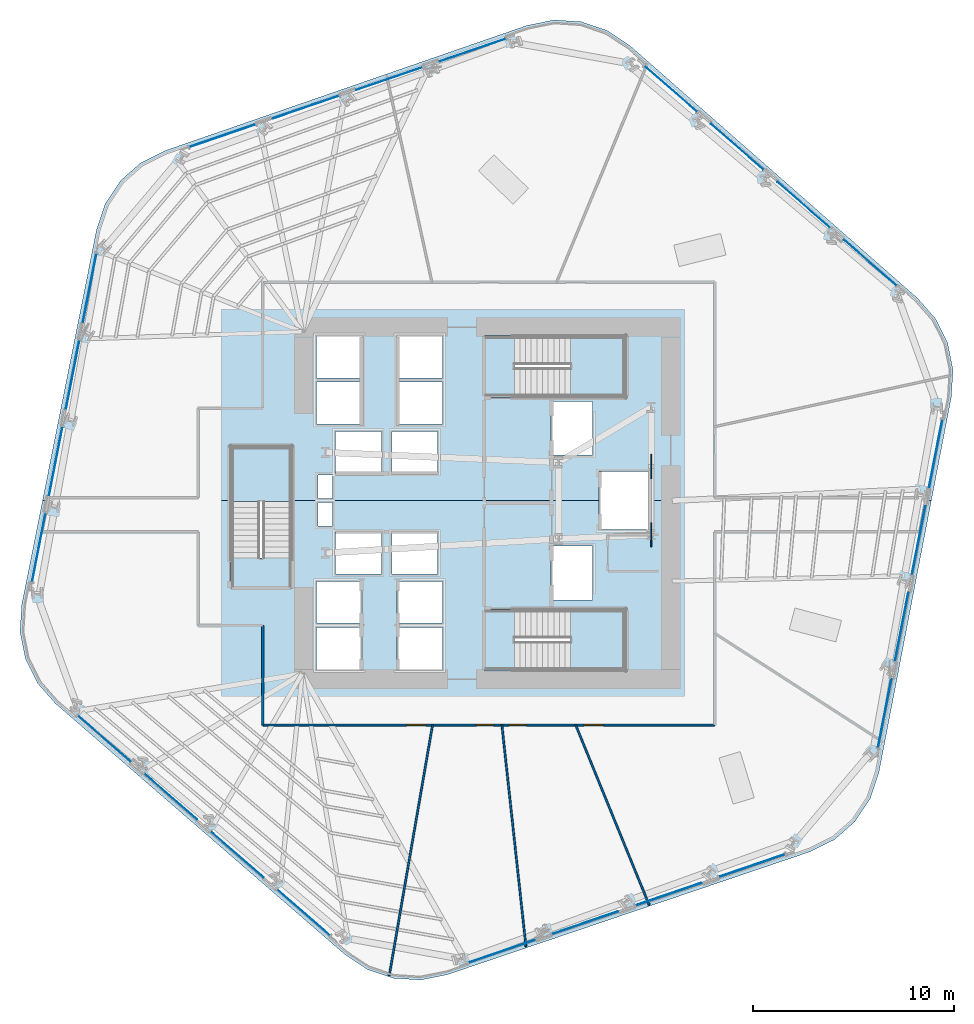
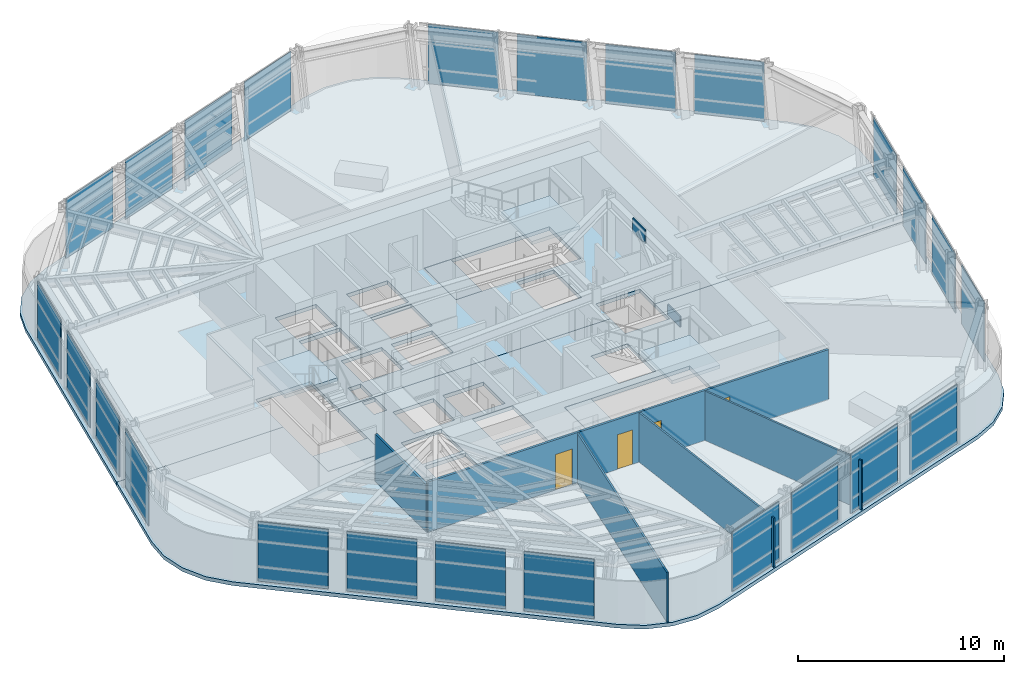
# One storey, part 8 of 16: 26 plates, 8 slabs, 5 walls, 4 doors, 4 openings, 9 elements without a shape of their own.
"""IFC4 building model written with IfcOpenShell, lengths in metres."""

from ifc_helpers import new_model, si_unit, direction, frame, frame_2d, origin, origin_2d, place, context, subcontext, project, spatial, polyline, rectangle, outline, extrude, material, layer, layer_set, type_object, element, fill, aggregate, save


model = new_model("IFC4")

# Units and contexts
model_context = context("Model", 3, precision=1e-05, world=origin(), true_north=direction((0.0, 1.0)))
body_context = subcontext(model_context, "Body", "Model", "MODEL_VIEW")
ifc_project = project(units=[si_unit("LENGTHUNIT", "METRE"), si_unit("AREAUNIT", "SQUARE_METRE"), si_unit("VOLUMEUNIT", "CUBIC_METRE"), si_unit("PLANEANGLEUNIT", "RADIAN"), si_unit("MASSUNIT", "GRAM", prefix="KILO")], contexts=[model_context])

# Site, building, storey
site_placement = place(None, origin())
site = spatial("IfcSite", under=ifc_project, at=site_placement, CompositionType="ELEMENT")
building_placement = place(site_placement, origin())
building = spatial("IfcBuilding", under=site, at=building_placement, Name="Valkerne Bourse Tower", CompositionType="ELEMENT")
storey_placement = place(building_placement, frame((0.0, 0.0, 104.800048828125)))
storey = spatial("IfcBuildingStorey", under=building, at=storey_placement, Name="L26", CompositionType="ELEMENT", Elevation=104.800048828125)

# Curtain wall, plates
ifc_material_1 = material(Name="Aluminium AA 6063-T6", Category="aluminium")
ifc_layer_1 = layer(ifc_material_1, 0.22998046875)
ifc_layer_set_1 = layer_set([ifc_layer_1], Name="Aluminium AA 6063-T6")
curtain_wall_type = type_object("IfcCurtainWallType", Name="CW-02", PredefinedType="NOTDEFINED", material=ifc_layer_set_1)
curtain_wall_1_placement = place(storey_placement, origin())
curtain_wall_1 = element("IfcCurtainWall", 1, at=curtain_wall_1_placement, inside=storey, type_object=curtain_wall_type, Name="L26 Hexagonal Stick Curtain Wall Face 1", PredefinedType="NOTDEFINED")
ifc_material_2 = material(Name="Glass IGU Low-E Double Glazed", Category="glass")
ifc_layer_2 = layer(ifc_material_2, 0.031982421875)
ifc_layer_set_2 = layer_set([ifc_layer_2], Name="Glass IGU Low-E Double Glazed")
plate_type_1 = type_object("IfcPlateType", Name="CW-PNL-IGU-32", PredefinedType="CURTAIN_PANEL", material=ifc_layer_set_2)
plate_1_placement = place(storey_placement, frame((65.84033203125, 38.8251953125, 0.030029296875), z_axis=(0.0, 0.0, 1.0), x_axis=(-0.753563766815, 0.657374816481, 0.0)))
plate_1 = element("IfcPlate", 2, at=plate_1_placement, type_object=plate_type_1, Name="CW-L26-F1 Curtain Panel 00", PredefinedType="CURTAIN_PANEL", context=body_context, shape_type="SweptSolid", body=[
    extrude(rectangle(XDim=3.462890625, YDim=0.031982421875, at=origin_2d()), origin(), (0.0, 0.0, 1.0), 3.52001953125),
])
plate_2_placement = place(storey_placement, frame((62.537353515625, 41.70654296875, 0.030029296875), z_axis=(0.0, 0.0, 1.0), x_axis=(-0.753575068934, 0.65736186038, 0.0)))
plate_2 = element("IfcPlate", 3, at=plate_2_placement, type_object=plate_type_1, Name="CW-L26-F1 Curtain Panel 01", PredefinedType="CURTAIN_PANEL", context=body_context, shape_type="SweptSolid", body=[
    extrude(rectangle(XDim=3.462890625, YDim=0.031982421875, at=origin_2d()), origin(), (0.0, 0.0, 1.0), 3.52001953125),
])
plate_3_placement = place(storey_placement, frame((59.234619140625, 44.587646484375, 0.030029296875), z_axis=(0.0, 0.0, 1.0), x_axis=(-0.75355390716, 0.657386118658, 0.0)))
plate_3 = element("IfcPlate", 4, at=plate_3_placement, type_object=plate_type_1, Name="CW-L26-F1 Curtain Panel 02", PredefinedType="CURTAIN_PANEL", context=body_context, shape_type="SweptSolid", body=[
    extrude(rectangle(XDim=3.462890625, YDim=0.031982421875, at=origin_2d()), origin(), (0.0, 0.0, 1.0), 3.52001953125),
])
plate_4_placement = place(storey_placement, frame((55.931884765625, 47.468994140625, 0.030029296875), z_axis=(0.0, 0.0, 1.0), x_axis=(-0.753563766815, 0.657374816481, 0.0)))
plate_4 = element("IfcPlate", 5, at=plate_4_placement, type_object=plate_type_1, Name="CW-L26-F1 Curtain Panel 03", PredefinedType="CURTAIN_PANEL", context=body_context, shape_type="SweptSolid", body=[
    extrude(rectangle(XDim=3.462890625, YDim=0.031982421875, at=origin_2d()), origin(), (0.0, 0.0, 1.0), 3.52001953125),
])
aggregate(curtain_wall_1, [plate_1, plate_2, plate_3, plate_4])

curtain_wall_2_placement = place(storey_placement, origin())
curtain_wall_2 = element("IfcCurtainWall", 6, at=curtain_wall_2_placement, inside=storey, type_object=curtain_wall_type, Name="L26 Hexagonal Stick Curtain Wall Face 2", PredefinedType="NOTDEFINED")
plate_5_placement = place(storey_placement, frame((46.0791015625, 49.402099609375, 0.030029296875), z_axis=(0.0, 0.0, 1.0), x_axis=(-0.946087647887, -0.323910732325, 0.0)))
plate_5 = element("IfcPlate", 7, at=plate_5_placement, type_object=plate_type_1, Name="CW-L26-F2 Curtain Panel 00", PredefinedType="CURTAIN_PANEL", context=body_context, shape_type="SweptSolid", body=[
    extrude(rectangle(XDim=3.462890625, YDim=0.031982421875, at=origin_2d()), origin(), (0.0, 0.0, 1.0), 3.52001953125),
])
plate_6_placement = place(storey_placement, frame((41.9326171875, 47.982421875, 0.030029296875), z_axis=(0.0, 0.0, 1.0), x_axis=(-0.946087647887, -0.323910732325, 0.0)))
plate_6 = element("IfcPlate", 8, at=plate_6_placement, type_object=plate_type_1, Name="CW-L26-F2 Curtain Panel 01", PredefinedType="CURTAIN_PANEL", context=body_context, shape_type="SweptSolid", body=[
    extrude(rectangle(XDim=3.462890625, YDim=0.031982421875, at=origin_2d()), origin(), (0.0, 0.0, 1.0), 3.52001953125),
])
plate_7_placement = place(storey_placement, frame((37.785888671875, 46.5625, 0.030029296875), z_axis=(0.0, 0.0, 1.0), x_axis=(-0.946087647887, -0.323910732325, 0.0)))
plate_7 = element("IfcPlate", 9, at=plate_7_placement, type_object=plate_type_1, Name="CW-L26-F2 Curtain Panel 02", PredefinedType="CURTAIN_PANEL", context=body_context, shape_type="SweptSolid", body=[
    extrude(rectangle(XDim=3.462890625, YDim=0.031982421875, at=origin_2d()), origin(), (0.0, 0.0, 1.0), 3.52001953125),
])
plate_8_placement = place(storey_placement, frame((33.63916015625, 45.142822265625, 0.030029296875), z_axis=(0.0, 0.0, 1.0), x_axis=(-0.946080655977, -0.323931153776, 0.0)))
plate_8 = element("IfcPlate", 10, at=plate_8_placement, type_object=plate_type_1, Name="CW-L26-F2 Curtain Panel 03", PredefinedType="CURTAIN_PANEL", context=body_context, shape_type="SweptSolid", body=[
    extrude(rectangle(XDim=3.462890625, YDim=0.031982421875, at=origin_2d()), origin(), (0.0, 0.0, 1.0), 3.52001953125),
])
aggregate(curtain_wall_2, [plate_5, plate_6, plate_7, plate_8])

curtain_wall_3_placement = place(storey_placement, origin())
curtain_wall_3 = element("IfcCurtainWall", 11, at=curtain_wall_3_placement, inside=storey, type_object=curtain_wall_type, Name="L26 Hexagonal Stick Curtain Wall Face 3", PredefinedType="NOTDEFINED")
plate_9_placement = place(storey_placement, frame((27.038818359375, 37.576904296875, 0.030029296875), z_axis=(0.0, 0.0, 1.0), x_axis=(-0.192516989941, -0.981293640346, 0.0)))
plate_9 = element("IfcPlate", 12, at=plate_9_placement, type_object=plate_type_1, Name="CW-L26-F3 Curtain Panel 00", PredefinedType="CURTAIN_PANEL", context=body_context, shape_type="SweptSolid", body=[
    extrude(rectangle(XDim=3.462890625, YDim=0.031982421875, at=origin_2d()), origin(), (0.0, 0.0, 1.0), 3.52001953125),
])
plate_10_placement = place(storey_placement, frame((26.195068359375, 33.27587890625, 0.030029296875), z_axis=(0.0, 0.0, 1.0), x_axis=(-0.192512679825, -0.981294485925, 0.0)))
plate_10 = element("IfcPlate", 13, at=plate_10_placement, type_object=plate_type_1, Name="CW-L26-F3 Curtain Panel 01", PredefinedType="CURTAIN_PANEL", context=body_context, shape_type="SweptSolid", body=[
    extrude(rectangle(XDim=3.463134765625, YDim=0.031982421875, at=origin_2d()), origin(), (0.0, 0.0, 1.0), 3.52001953125),
])
plate_11_placement = place(storey_placement, frame((25.351318359375, 28.974853515625, 0.030029296875), z_axis=(0.0, 0.0, 1.0), x_axis=(-0.192516989941, -0.981293640346, 0.0)))
plate_11 = element("IfcPlate", 14, at=plate_11_placement, type_object=plate_type_1, Name="CW-L26-F3 Curtain Panel 02", PredefinedType="CURTAIN_PANEL", context=body_context, shape_type="SweptSolid", body=[
    extrude(rectangle(XDim=3.462890625, YDim=0.031982421875, at=origin_2d()), origin(), (0.0, 0.0, 1.0), 3.52001953125),
])
plate_12_placement = place(storey_placement, frame((24.50732421875, 24.673583984375, 0.030029296875), z_axis=(0.0, 0.0, 1.0), x_axis=(-0.192538959662, -0.981289329919, 0.0)))
plate_12 = element("IfcPlate", 15, at=plate_12_placement, type_object=plate_type_1, Name="CW-L26-F3 Curtain Panel 03", PredefinedType="CURTAIN_PANEL", context=body_context, shape_type="SweptSolid", body=[
    extrude(rectangle(XDim=3.462890625, YDim=0.031982421875, at=origin_2d()), origin(), (0.0, 0.0, 1.0), 3.52001953125),
])
aggregate(curtain_wall_3, [plate_9, plate_10, plate_11, plate_12])

curtain_wall_4_placement = place(storey_placement, origin())
curtain_wall_4 = element("IfcCurtainWall", 16, at=curtain_wall_4_placement, inside=storey, type_object=curtain_wall_type, Name="L26 Hexagonal Stick Curtain Wall Face 4", PredefinedType="NOTDEFINED")
plate_13_placement = place(storey_placement, frame((27.759765625, 15.1748046875, 0.030029296875), z_axis=(0.0, 0.0, 1.0), x_axis=(0.753563766815, -0.657374816481, 0.0)))
plate_13 = element("IfcPlate", 17, at=plate_13_placement, type_object=plate_type_1, Name="CW-L26-F4 Curtain Panel 00", PredefinedType="CURTAIN_PANEL", context=body_context, shape_type="SweptSolid", body=[
    extrude(rectangle(XDim=3.462890625, YDim=0.031982421875, at=origin_2d()), origin(), (0.0, 0.0, 1.0), 3.52001953125),
])
plate_14_placement = place(storey_placement, frame((31.0625, 12.29345703125, 0.030029296875), z_axis=(0.0, 0.0, 1.0), x_axis=(0.753575068934, -0.65736186038, 0.0)))
plate_14 = element("IfcPlate", 18, at=plate_14_placement, type_object=plate_type_1, Name="CW-L26-F4 Curtain Panel 01", PredefinedType="CURTAIN_PANEL", context=body_context, shape_type="SweptSolid", body=[
    extrude(rectangle(XDim=3.462890625, YDim=0.031982421875, at=origin_2d()), origin(), (0.0, 0.0, 1.0), 3.52001953125),
])
plate_15_placement = place(storey_placement, frame((34.365478515625, 9.412353515625, 0.030029296875), z_axis=(0.0, 0.0, 1.0), x_axis=(0.75355390716, -0.657386118658, 0.0)))
plate_15 = element("IfcPlate", 19, at=plate_15_placement, type_object=plate_type_1, Name="CW-L26-F4 Curtain Panel 02", PredefinedType="CURTAIN_PANEL", context=body_context, shape_type="SweptSolid", body=[
    extrude(rectangle(XDim=3.462890625, YDim=0.031982421875, at=origin_2d()), origin(), (0.0, 0.0, 1.0), 3.52001953125),
])
plate_16_placement = place(storey_placement, frame((37.668212890625, 6.531005859375, 0.030029296875), z_axis=(0.0, 0.0, 1.0), x_axis=(0.753563766815, -0.657374816481, 0.0)))
plate_16 = element("IfcPlate", 20, at=plate_16_placement, type_object=plate_type_1, Name="CW-L26-F4 Curtain Panel 03", PredefinedType="CURTAIN_PANEL", context=body_context, shape_type="SweptSolid", body=[
    extrude(rectangle(XDim=3.462890625, YDim=0.031982421875, at=origin_2d()), origin(), (0.0, 0.0, 1.0), 3.52001953125),
])
aggregate(curtain_wall_4, [plate_13, plate_14, plate_15, plate_16])

curtain_wall_5_placement = place(storey_placement, origin())
curtain_wall_5 = element("IfcCurtainWall", 21, at=curtain_wall_5_placement, inside=storey, type_object=curtain_wall_type, Name="L26 Hexagonal Stick Curtain Wall Face 5", PredefinedType="NOTDEFINED")
plate_17_placement = place(storey_placement, frame((47.520751953125, 4.597900390625, 0.030029296875), z_axis=(0.0, 0.0, 1.0), x_axis=(0.946087647887, 0.323910732325, 0.0)))
plate_17 = element("IfcPlate", 22, at=plate_17_placement, type_object=plate_type_1, Name="CW-L26-F5 Curtain Panel 00", PredefinedType="CURTAIN_PANEL", context=body_context, shape_type="SweptSolid", body=[
    extrude(rectangle(XDim=3.462890625, YDim=0.031982421875, at=origin_2d()), origin(), (0.0, 0.0, 1.0), 3.52001953125),
])
plate_18_placement = place(storey_placement, frame((51.66748046875, 6.017578125, 0.030029296875), z_axis=(0.0, 0.0, 1.0), x_axis=(0.946087647887, 0.323910732325, 0.0)))
plate_18 = element("IfcPlate", 23, at=plate_18_placement, type_object=plate_type_1, Name="CW-L26-F5 Curtain Panel 01", PredefinedType="CURTAIN_PANEL", context=body_context, shape_type="SweptSolid", body=[
    extrude(rectangle(XDim=3.462890625, YDim=0.031982421875, at=origin_2d()), origin(), (0.0, 0.0, 1.0), 3.52001953125),
])
plate_19_placement = place(storey_placement, frame((55.814208984375, 7.4375, 0.030029296875), z_axis=(0.0, 0.0, 1.0), x_axis=(0.946087647887, 0.323910732325, 0.0)))
plate_19 = element("IfcPlate", 24, at=plate_19_placement, type_object=plate_type_1, Name="CW-L26-F5 Curtain Panel 02", PredefinedType="CURTAIN_PANEL", context=body_context, shape_type="SweptSolid", body=[
    extrude(rectangle(XDim=3.462890625, YDim=0.031982421875, at=origin_2d()), origin(), (0.0, 0.0, 1.0), 3.52001953125),
])
plate_20_placement = place(storey_placement, frame((59.9609375, 8.857177734375, 0.030029296875), z_axis=(0.0, 0.0, 1.0), x_axis=(0.946080655977, 0.323931153776, 0.0)))
plate_20 = element("IfcPlate", 25, at=plate_20_placement, type_object=plate_type_1, Name="CW-L26-F5 Curtain Panel 03", PredefinedType="CURTAIN_PANEL", context=body_context, shape_type="SweptSolid", body=[
    extrude(rectangle(XDim=3.462890625, YDim=0.031982421875, at=origin_2d()), origin(), (0.0, 0.0, 1.0), 3.52001953125),
])
aggregate(curtain_wall_5, [plate_17, plate_18, plate_19, plate_20])

curtain_wall_6_placement = place(storey_placement, origin())
curtain_wall_6 = element("IfcCurtainWall", 26, at=curtain_wall_6_placement, inside=storey, type_object=curtain_wall_type, Name="L26 Hexagonal Stick Curtain Wall Face 6", PredefinedType="NOTDEFINED")
plate_21_placement = place(storey_placement, frame((66.56103515625, 16.423095703125, 0.030029296875), z_axis=(0.0, 0.0, 1.0), x_axis=(0.192516989941, 0.981293640346, 0.0)))
plate_21 = element("IfcPlate", 27, at=plate_21_placement, type_object=plate_type_1, Name="CW-L26-F6 Curtain Panel 00", PredefinedType="CURTAIN_PANEL", context=body_context, shape_type="SweptSolid", body=[
    extrude(rectangle(XDim=3.462890625, YDim=0.031982421875, at=origin_2d()), origin(), (0.0, 0.0, 1.0), 3.52001953125),
])
plate_22_placement = place(storey_placement, frame((67.40478515625, 20.72412109375, 0.030029296875), z_axis=(0.0, 0.0, 1.0), x_axis=(0.192512679825, 0.981294485925, 0.0)))
plate_22 = element("IfcPlate", 28, at=plate_22_placement, type_object=plate_type_1, Name="CW-L26-F6 Curtain Panel 01", PredefinedType="CURTAIN_PANEL", context=body_context, shape_type="SweptSolid", body=[
    extrude(rectangle(XDim=3.463134765625, YDim=0.031982421875, at=origin_2d()), origin(), (0.0, 0.0, 1.0), 3.52001953125),
])
plate_23_placement = place(storey_placement, frame((68.248779296875, 25.025146484375, 0.030029296875), z_axis=(0.0, 0.0, 1.0), x_axis=(0.192516989941, 0.981293640346, 0.0)))
plate_23 = element("IfcPlate", 29, at=plate_23_placement, type_object=plate_type_1, Name="CW-L26-F6 Curtain Panel 02", PredefinedType="CURTAIN_PANEL", context=body_context, shape_type="SweptSolid", body=[
    extrude(rectangle(XDim=3.462890625, YDim=0.031982421875, at=origin_2d()), origin(), (0.0, 0.0, 1.0), 3.52001953125),
])
plate_24_placement = place(storey_placement, frame((69.092529296875, 29.326416015625, 0.030029296875), z_axis=(0.0, 0.0, 1.0), x_axis=(0.192538959662, 0.981289329919, 0.0)))
plate_24 = element("IfcPlate", 30, at=plate_24_placement, type_object=plate_type_1, Name="CW-L26-F6 Curtain Panel 03", PredefinedType="CURTAIN_PANEL", context=body_context, shape_type="SweptSolid", body=[
    extrude(rectangle(XDim=3.462890625, YDim=0.031982421875, at=origin_2d()), origin(), (0.0, 0.0, 1.0), 3.52001953125),
])
aggregate(curtain_wall_6, [plate_21, plate_22, plate_23, plate_24])

# Plates
ifc_material_3 = material(Name="Steel ASTM A572 Grade 50", Category="steel")
ifc_layer_3 = layer(ifc_material_3, 0.06005859375)
ifc_layer_set_3 = layer_set([ifc_layer_3], Name="Steel ASTM A572 Grade 50")
plate_type_2 = type_object("IfcPlateType", Name="PLT-GUS-60", PredefinedType="SHEET", material=ifc_layer_set_3)
for number, where, z_axis, x_axis, name in (
    (31, (54.949951171875, 25.300048828125, -0.18017578125), (0.0, 0.0, 1.0), (0.0, 1.0, 0.0), "L26 Brace Node Gusset Plate PLT-GUS-END-L26-368"),
    (32, (54.949951171875, 28.699951171875, 2.8740234375), (0.0, 0.0, 1.0), (0.0, 1.0, 0.0), "L26 Brace Node Gusset Plate PLT-GUS-END-L26-369"),
):
    element("IfcPlate", number, at=place(storey_placement, frame(where, z_axis=z_axis, x_axis=x_axis)), inside=storey, type_object=plate_type_2, Name=name, PredefinedType="SHEET", context=body_context, shape_type="SweptSolid", body=[
        extrude(rectangle(XDim=1.199951171875, YDim=0.06005859375, at=origin_2d()), origin(), (0.0, 0.0, 1.0), 0.800048828125),
    ])

# Slabs
ifc_material_4 = material(Name="Concrete C40/50", Category="concrete")
ifc_layer_4 = layer(ifc_material_4, 0.25)
ifc_layer_set_4 = layer_set([ifc_layer_4], Name="Concrete C40/50")
slab_type_1 = type_object("IfcSlabType", Name="SLB-RMP-LND-250", PredefinedType="LANDING", material=ifc_layer_set_4)
slab_1_placement = place(storey_placement, frame((0.0, 0.0, -0.219970703125)))
element("IfcSlab", 33, at=slab_1_placement, inside=storey, type_object=slab_type_1, Name="L26 ST-1 Floor Landing Slab", PredefinedType="LANDING", context=body_context, shape_type="SweptSolid", body=[
    extrude(outline(polyline([(46.669921875, 18.5400390625), (48.14990234375, 18.5400390625), (48.14990234375, 21.610107421875), (46.669921875, 21.610107421875), (46.669921875, 18.5400390625)])), origin(), (0.0, 0.0, 1.0), 0.219970703125),
])
slab_2_placement = place(storey_placement, frame((0.0, 0.0, -0.219970703125)))
element("IfcSlab", 34, at=slab_2_placement, inside=storey, type_object=slab_type_1, Name="L26 ST-2 Floor Landing Slab", PredefinedType="LANDING", context=body_context, shape_type="SweptSolid", body=[
    extrude(outline(polyline([(46.669921875, 32.139892578125), (48.14990234375, 32.139892578125), (48.14990234375, 35.2099609375), (46.669921875, 35.2099609375), (46.669921875, 32.139892578125)])), origin(), (0.0, 0.0, 1.0), 0.219970703125),
])
slab_3_placement = place(storey_placement, frame((0.0, 0.0, -0.219970703125)))
element("IfcSlab", 35, at=slab_3_placement, inside=storey, type_object=slab_type_1, Name="L26 ST-3 Floor Landing Slab", PredefinedType="LANDING", context=body_context, shape_type="SweptSolid", body=[
    extrude(outline(polyline([(37.110107421875, 22.669921875), (37.110107421875, 24.14990234375), (34.0400390625, 24.14990234375), (34.0400390625, 22.669921875), (37.110107421875, 22.669921875)])), origin(), (0.0, 0.0, 1.0), 0.219970703125),
])

# Stair, slab
stair_type = type_object("IfcStairType", Name="ST-CORE-1400", PredefinedType="HALF_TURN_STAIR", material=ifc_material_4)
stair_1_placement = place(storey_placement, origin())
stair_1 = element("IfcStair", 36, at=stair_1_placement, inside=storey, type_object=stair_type, Name="L26 ST-1", PredefinedType="HALF_TURN_STAIR")
ifc_layer_5 = layer(ifc_material_4, 0.179931640625)
ifc_layer_set_5 = layer_set([ifc_layer_5], Name="Concrete C40/50")
slab_type_2 = type_object("IfcSlabType", Name="SLB-ST-LND-180", PredefinedType="LANDING", material=ifc_layer_set_5)
slab_4_placement = place(storey_placement, frame((0.0, 0.0, 1.699951171875)))
slab_4 = element("IfcSlab", 37, at=slab_4_placement, type_object=slab_type_2, Name="ST-1 landing 1", PredefinedType="LANDING", context=body_context, shape_type="SweptSolid", body=[
    extrude(outline(polyline([(50.949951171875, 18.60009765625), (53.64990234375, 18.60009765625), (53.64990234375, 21.550048828125), (50.949951171875, 21.550048828125), (50.949951171875, 18.60009765625)])), origin(), (0.0, 0.0, 1.0), 0.199951171875),
])
aggregate(stair_1, [slab_4])

stair_2_placement = place(storey_placement, origin())
stair_2 = element("IfcStair", 38, at=stair_2_placement, inside=storey, type_object=stair_type, Name="L26 ST-2", PredefinedType="HALF_TURN_STAIR")
slab_5_placement = place(storey_placement, frame((0.0, 0.0, 1.699951171875)))
slab_5 = element("IfcSlab", 39, at=slab_5_placement, type_object=slab_type_2, Name="ST-2 landing 1", PredefinedType="LANDING", context=body_context, shape_type="SweptSolid", body=[
    extrude(outline(polyline([(50.949951171875, 32.199951171875), (53.64990234375, 32.199951171875), (53.64990234375, 35.14990234375), (50.949951171875, 35.14990234375), (50.949951171875, 32.199951171875)])), origin(), (0.0, 0.0, 1.0), 0.199951171875),
])
aggregate(stair_2, [slab_5])

stair_3_placement = place(storey_placement, origin())
stair_3 = element("IfcStair", 40, at=stair_3_placement, inside=storey, type_object=stair_type, Name="L26 ST-3", PredefinedType="HALF_TURN_STAIR")
slab_6_placement = place(storey_placement, frame((0.0, 0.0, 1.699951171875)))
slab_6 = element("IfcSlab", 41, at=slab_6_placement, type_object=slab_type_2, Name="ST-3 landing 1", PredefinedType="LANDING", context=body_context, shape_type="SweptSolid", body=[
    extrude(outline(polyline([(37.050048828125, 26.949951171875), (37.050048828125, 29.64990234375), (34.10009765625, 29.64990234375), (34.10009765625, 26.949951171875), (37.050048828125, 26.949951171875)])), origin(), (0.0, 0.0, 1.0), 0.199951171875),
])
aggregate(stair_3, [slab_6])

# Slabs
ifc_layer_6 = layer(ifc_material_4, 0.219970703125)
ifc_layer_set_6 = layer_set([ifc_layer_6], Name="Concrete C40/50")
slab_type_3 = type_object("IfcSlabType", Name="SLB-TOW-220", PredefinedType="FLOOR", material=ifc_layer_set_6)
slab_7_placement = place(storey_placement, frame((0.0, 0.0, -0.219970703125)))
element("IfcSlab", 42, at=slab_7_placement, inside=storey, type_object=slab_type_3, Name="L26 Hexagonal Composite Floor Slab S", PredefinedType="FLOOR", context=body_context, shape_type="SweptSolid", body=[
    extrude(outline(polyline([(65.8369140625, 12.17919921875), (65.085693359375, 11.04833984375), (64.0673828125, 10.150634765625), (62.8515625, 9.547119140625), (44.827392578125, 3.440185546875), (43.49658203125, 3.171875), (42.141845703125, 3.257080078125), (40.855224609375, 3.690185546875), (39.724609375, 4.44140625), (25.343994140625, 16.90576171875), (24.4462890625, 17.924072265625), (23.8427734375, 19.139892578125), (23.574462890625, 20.470703125), (23.65966796875, 21.825439453125), (24.69189453125, 27.0), (34.034912109375, 27.0), (34.034912109375, 22.6650390625), (37.114990234375, 22.6650390625), (37.114990234375, 27.0), (52.360107421875, 27.0), (52.360107421875, 25.56005859375), (54.840087890625, 25.56005859375), (54.840087890625, 27.0), (68.88037109375, 27.0), (66.269775390625, 13.4658203125), (65.8369140625, 12.17919921875)]), holes=[polyline([(40.590087890625, 20.68994140625), (38.31005859375, 20.68994140625), (38.31005859375, 18.610107421875), (40.590087890625, 18.610107421875), (40.590087890625, 20.68994140625)]), polyline([(40.590087890625, 22.989990234375), (38.31005859375, 22.989990234375), (38.31005859375, 20.909912109375), (40.590087890625, 20.909912109375), (40.590087890625, 22.989990234375)]), polyline([(41.5400390625, 25.43994140625), (39.260009765625, 25.43994140625), (39.260009765625, 23.360107421875), (41.5400390625, 23.360107421875), (41.5400390625, 25.43994140625)]), polyline([(39.10009765625, 25.72998046875), (39.10009765625, 26.89990234375), (38.3798828125, 26.89990234375), (38.3798828125, 25.72998046875), (39.10009765625, 25.72998046875)]), polyline([(44.590087890625, 20.68994140625), (42.31005859375, 20.68994140625), (42.31005859375, 18.610107421875), (44.590087890625, 18.610107421875), (44.590087890625, 20.68994140625)]), polyline([(53.675048828125, 21.614990234375), (46.6650390625, 21.614990234375), (46.6650390625, 18.534912109375), (53.675048828125, 18.534912109375), (53.675048828125, 21.614990234375)]), polyline([(44.590087890625, 22.989990234375), (42.31005859375, 22.989990234375), (42.31005859375, 20.909912109375), (44.590087890625, 20.909912109375), (44.590087890625, 22.989990234375)]), polyline([(52.0400390625, 22.06005859375), (52.0400390625, 24.739990234375), (49.9599609375, 24.739990234375), (49.9599609375, 22.06005859375), (52.0400390625, 22.06005859375)]), polyline([(44.340087890625, 23.360107421875), (44.340087890625, 25.43994140625), (42.06005859375, 25.43994140625), (42.06005859375, 23.360107421875), (44.340087890625, 23.360107421875)])]), origin(), (0.0, 0.0, 1.0), 0.219970703125),
])
slab_8_placement = place(storey_placement, frame((0.0, 0.0, -0.219970703125)))
element("IfcSlab", 43, at=slab_8_placement, inside=storey, type_object=slab_type_3, Name="L26 Hexagonal Composite Floor Slab N", PredefinedType="FLOOR", context=body_context, shape_type="SweptSolid", body=[
    extrude(outline(polyline([(27.3828125, 40.48828125), (27.81591796875, 41.77490234375), (28.567138671875, 42.905517578125), (29.58544921875, 43.80322265625), (30.80126953125, 44.406982421875), (48.7861328125, 50.62841796875), (50.116943359375, 50.896728515625), (51.4716796875, 50.8115234375), (52.75830078125, 50.378662109375), (53.888916015625, 49.62744140625), (68.189697265625, 37.071533203125), (69.08740234375, 36.05322265625), (69.691162109375, 34.83740234375), (69.95947265625, 33.506591796875), (69.8740234375, 32.15185546875), (68.88037109375, 27.0), (54.840087890625, 27.0), (54.840087890625, 28.43994140625), (52.360107421875, 28.43994140625), (52.360107421875, 27.0), (37.114990234375, 27.0), (37.114990234375, 29.675048828125), (34.034912109375, 29.675048828125), (34.034912109375, 27.0), (24.69189453125, 27.0), (27.3828125, 40.48828125)]), holes=[polyline([(39.10009765625, 28.27001953125), (38.3798828125, 28.27001953125), (38.3798828125, 27.10009765625), (39.10009765625, 27.10009765625), (39.10009765625, 28.27001953125)]), polyline([(41.5400390625, 30.43994140625), (39.260009765625, 30.43994140625), (39.260009765625, 28.360107421875), (41.5400390625, 28.360107421875), (41.5400390625, 30.43994140625)]), polyline([(44.340087890625, 30.43994140625), (42.06005859375, 30.43994140625), (42.06005859375, 28.360107421875), (44.340087890625, 28.360107421875), (44.340087890625, 30.43994140625)]), polyline([(40.590087890625, 30.81005859375), (40.590087890625, 32.889892578125), (38.31005859375, 32.889892578125), (38.31005859375, 30.81005859375), (40.590087890625, 30.81005859375)]), polyline([(40.590087890625, 33.110107421875), (40.590087890625, 35.18994140625), (38.31005859375, 35.18994140625), (38.31005859375, 33.110107421875), (40.590087890625, 33.110107421875)]), polyline([(52.0400390625, 31.93994140625), (49.9599609375, 31.93994140625), (49.9599609375, 29.260009765625), (52.0400390625, 29.260009765625), (52.0400390625, 31.93994140625)]), polyline([(44.590087890625, 32.889892578125), (42.31005859375, 32.889892578125), (42.31005859375, 30.81005859375), (44.590087890625, 30.81005859375), (44.590087890625, 32.889892578125)]), polyline([(53.675048828125, 32.135009765625), (53.675048828125, 35.215087890625), (46.6650390625, 35.215087890625), (46.6650390625, 32.135009765625), (53.675048828125, 32.135009765625)]), polyline([(44.590087890625, 33.110107421875), (44.590087890625, 35.18994140625), (42.31005859375, 35.18994140625), (42.31005859375, 33.110107421875), (44.590087890625, 33.110107421875)])]), origin(), (0.0, 0.0, 1.0), 0.219970703125),
])

# Wall, openings, doors
ifc_material_5 = material(Name="Gypsum Board Steel-Stud Partition", Category="steel")
ifc_layer_7 = layer(ifc_material_5, 0.117919921875)
ifc_layer_set_7 = layer_set([ifc_layer_7], Name="Gypsum Board Steel-Stud Partition")
wall_type_1 = type_object("IfcWallType", Name="W-CORR-140", PredefinedType="PARTITIONING", material=ifc_layer_set_7)
wall_1_placement = place(storey_placement, frame((58.10009765625, 15.85009765625, 0.0), z_axis=(0.0, 0.0, 1.0), x_axis=(-1.0, 0.0, 0.0)))
wall_1 = element("IfcWall", 44, at=wall_1_placement, inside=storey, type_object=wall_type_1, Name="L26 Corridor Enclosure Wall", PredefinedType="PARTITIONING", context=body_context, shape_type="SweptSolid", body=[
    extrude(rectangle(XDim=22.4501953125, YDim=0.117919921875, at=frame_2d((11.22509765625, 0.0))), origin(), (0.0, 0.0, 1.0), 2.962890625),
])
opening_1_placement = place(wall_1_placement, frame((9.35498046875, 0.0, 0.0)))
opening_1 = element("IfcOpeningElement", 45, at=opening_1_placement, cuts=wall_1, Name="Opening D-WC-900", PredefinedType="OPENING", context=body_context, shape_type="SweptSolid", body=[
    extrude(rectangle(XDim=0.860107421875, YDim=2.050048828125, at=frame_2d((0.43017578125, 1.02490234375))), frame((0.0, 0.06884765625, 0.0), z_axis=(0.0, -1.0, 0.0), x_axis=(1.0, 0.0, 0.0)), (0.0, 0.0, 1.0), 0.137939453125),
])
opening_2_placement = place(wall_1_placement, frame((10.97509765625, 0.0, 0.0)))
opening_2 = element("IfcOpeningElement", 46, at=opening_2_placement, cuts=wall_1, Name="Opening D-WC-900", PredefinedType="OPENING", context=body_context, shape_type="SweptSolid", body=[
    extrude(rectangle(XDim=0.860107421875, YDim=2.050048828125, at=frame_2d((0.43017578125, 1.02490234375))), frame((0.0, 0.06884765625, 0.0), z_axis=(0.0, -1.0, 0.0), x_axis=(1.0, 0.0, 0.0)), (0.0, 0.0, 1.0), 0.137939453125),
])
opening_3_placement = place(wall_1_placement, frame((5.530029296875, 0.0, 0.0)))
opening_3 = element("IfcOpeningElement", 47, at=opening_3_placement, cuts=wall_1, Name="Opening D-OF-950", PredefinedType="OPENING", context=body_context, shape_type="SweptSolid", body=[
    extrude(rectangle(XDim=0.949951171875, YDim=2.10009765625, at=frame_2d((0.47509765625, 1.050048828125))), frame((0.0, 0.06884765625, 0.0), z_axis=(0.0, -1.0, 0.0), x_axis=(1.0, 0.0, 0.0)), (0.0, 0.0, 1.0), 0.137939453125),
])
opening_4_placement = place(wall_1_placement, frame((14.35009765625, 0.0, 0.0)))
opening_4 = element("IfcOpeningElement", 48, at=opening_4_placement, cuts=wall_1, Name="Opening D-OF-950", PredefinedType="OPENING", context=body_context, shape_type="SweptSolid", body=[
    extrude(rectangle(XDim=0.949951171875, YDim=2.10009765625, at=frame_2d((0.47509765625, 1.050048828125))), frame((0.0, 0.06884765625, 0.0), z_axis=(0.0, -1.0, 0.0), x_axis=(1.0, 0.0, 0.0)), (0.0, 0.0, 1.0), 0.137939453125),
])
ifc_material_6 = material(Name="Architectural White Oak Timber", Category="wood")
door_type_1 = type_object("IfcDoorType", Name="DR-OFF-950", OperationType="NOTDEFINED", PredefinedType="DOOR", material=ifc_material_6)
door_1_placement = place(opening_3_placement, origin())
door_1 = element("IfcDoor", 49, at=door_1_placement, inside=storey, type_object=door_type_1, Name="L26 L26 Executive Advisory Suite Office 3 Door", OperationType="SINGLE_SWING_LEFT", OverallHeight=2.10009765625, OverallWidth=0.949951171875, PredefinedType="DOOR", context=body_context, shape_type="SweptSolid", body=[
    extrude(rectangle(XDim=0.949951171875, YDim=2.10009765625, at=frame_2d((0.47509765625, 1.050048828125))), frame((0.0, 0.02490234375, 0.0), z_axis=(0.0, -1.0, 0.0), x_axis=(1.0, 0.0, 0.0)), (0.0, 0.0, 1.0), 0.050048828125),
])
fill(opening_3, door_1)
door_2_placement = place(opening_4_placement, origin())
door_2 = element("IfcDoor", 50, at=door_2_placement, inside=storey, type_object=door_type_1, Name="L26 L26 Occupational Wellness Clinic 7 Door", OperationType="SINGLE_SWING_RIGHT", OverallHeight=2.10009765625, OverallWidth=0.949951171875, PredefinedType="DOOR", context=body_context, shape_type="SweptSolid", body=[
    extrude(rectangle(XDim=0.949951171875, YDim=2.10009765625, at=frame_2d((0.47509765625, 1.050048828125))), frame((0.0, 0.02490234375, 0.0), z_axis=(0.0, -1.0, 0.0), x_axis=(1.0, 0.0, 0.0)), (0.0, 0.0, 1.0), 0.050048828125),
])
fill(opening_4, door_2)
door_type_2 = type_object("IfcDoorType", Name="DR-WC-900", OperationType="NOTDEFINED", PredefinedType="DOOR", material=ifc_material_6)
door_3_placement = place(opening_1_placement, origin())
door_3 = element("IfcDoor", 51, at=door_3_placement, inside=storey, type_object=door_type_2, Name="L26 L26 Men Bathroom WC 1 Door", OperationType="SINGLE_SWING_LEFT", OverallHeight=2.050048828125, OverallWidth=0.860107421875, PredefinedType="DOOR", context=body_context, shape_type="SweptSolid", body=[
    extrude(rectangle(XDim=0.860107421875, YDim=2.050048828125, at=frame_2d((0.43017578125, 1.02490234375))), frame((0.0, 0.02490234375, 0.0), z_axis=(0.0, -1.0, 0.0), x_axis=(1.0, 0.0, 0.0)), (0.0, 0.0, 1.0), 0.050048828125),
])
fill(opening_1, door_3)
door_4_placement = place(opening_2_placement, origin())
door_4 = element("IfcDoor", 52, at=door_4_placement, inside=storey, type_object=door_type_2, Name="L26 L26 Women Restroom & Shower WC 2 Door", OperationType="SINGLE_SWING_LEFT", OverallHeight=2.050048828125, OverallWidth=0.860107421875, PredefinedType="DOOR", context=body_context, shape_type="SweptSolid", body=[
    extrude(rectangle(XDim=0.860107421875, YDim=2.050048828125, at=frame_2d((0.43017578125, 1.02490234375))), frame((0.0, 0.02490234375, 0.0), z_axis=(0.0, -1.0, 0.0), x_axis=(1.0, 0.0, 0.0)), (0.0, 0.0, 1.0), 0.050048828125),
])
fill(opening_2, door_4)

# Walls
wall_2_placement = place(storey_placement, frame((35.64990234375, 15.85009765625, 0.0), z_axis=(0.0, 0.0, 1.0), x_axis=(0.0, 1.0, 0.0)))
element("IfcWall", 53, at=wall_2_placement, inside=storey, type_object=wall_type_1, Name="L26 Corridor Enclosure Wall", PredefinedType="PARTITIONING", context=body_context, shape_type="SweptSolid", body=[
    extrude(rectangle(XDim=4.949951171875, YDim=0.117919921875, at=frame_2d((2.47509765625, 0.0))), origin(), (0.0, 0.0, 1.0), 2.80029296875),
])
ifc_layer_8 = layer(ifc_material_5, 0.092041015625)
ifc_layer_set_8 = layer_set([ifc_layer_8], Name="Gypsum Board Steel-Stud Partition")
wall_type_2 = type_object("IfcWallType", Name="W-PART-115", PredefinedType="PARTITIONING", material=ifc_layer_set_8)
wall_3_placement = place(storey_placement, frame((44.083251953125, 15.844970703125, 0.0), z_axis=(0.0, 0.0, 1.0), x_axis=(-0.170224133107, -0.985405370651, 0.0)))
element("IfcWall", 54, at=wall_3_placement, inside=storey, type_object=wall_type_2, Name="L26 Suite Partition P01", PredefinedType="PARTITIONING", context=body_context, shape_type="SweptSolid", body=[
    extrude(rectangle(XDim=12.62841796875, YDim=0.092041015625, at=frame_2d((6.314208984375, 0.0))), origin(), (0.0, 0.0, 1.0), 2.92236328125),
])
wall_4_placement = place(storey_placement, frame((47.53125, 15.844970703125, 0.0), z_axis=(0.0, 0.0, 1.0), x_axis=(0.108001867956, -0.994150691051, 0.0)))
element("IfcWall", 55, at=wall_4_placement, inside=storey, type_object=wall_type_2, Name="L26 Suite Partition P02", PredefinedType="PARTITIONING", context=body_context, shape_type="SweptSolid", body=[
    extrude(rectangle(XDim=11.07421875, YDim=0.092041015625, at=frame_2d((5.537109375, 0.0))), origin(), (0.0, 0.0, 1.0), 2.92236328125),
])
wall_5_placement = place(storey_placement, frame((51.201171875, 15.844970703125, 0.0), z_axis=(0.0, 0.0, 1.0), x_axis=(0.37784964667, -0.925866969122, 0.0)))
element("IfcWall", 56, at=wall_5_placement, inside=storey, type_object=wall_type_2, Name="L26 Suite Partition P03", PredefinedType="PARTITIONING", context=body_context, shape_type="SweptSolid", body=[
    extrude(rectangle(XDim=9.6513671875, YDim=0.092041015625, at=frame_2d((4.82568359375, 0.0))), origin(), (0.0, 0.0, 1.0), 2.92236328125),
])

save(model, "model.ifc")
